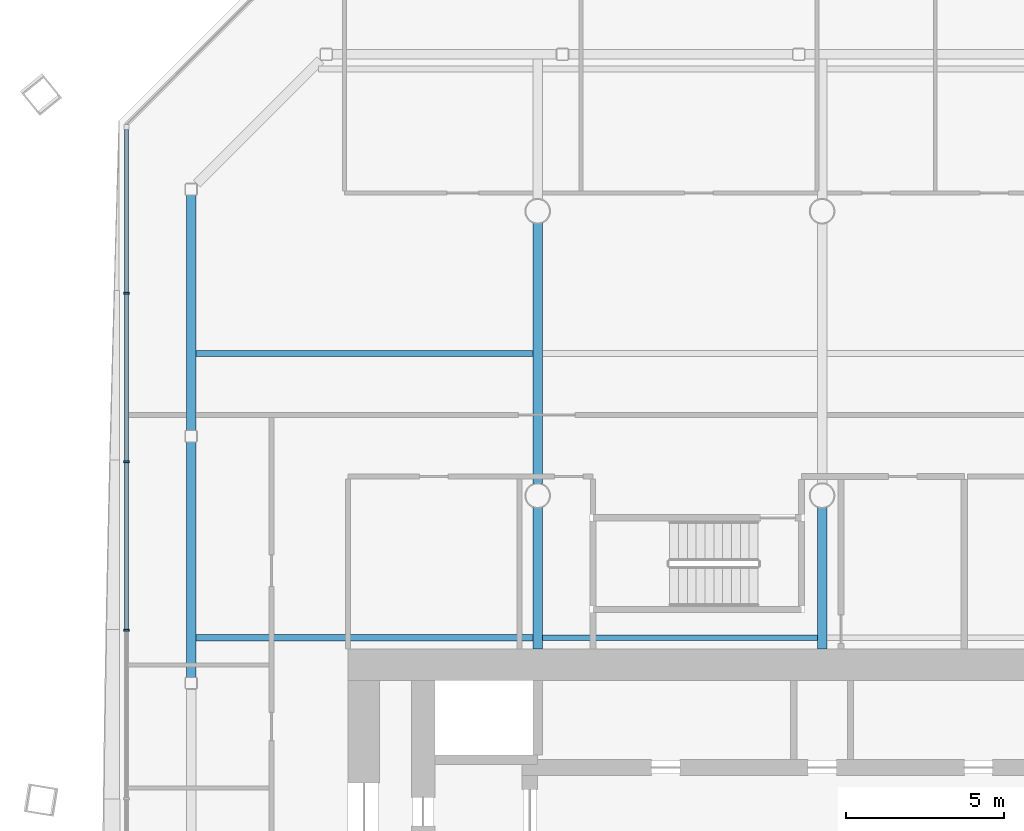
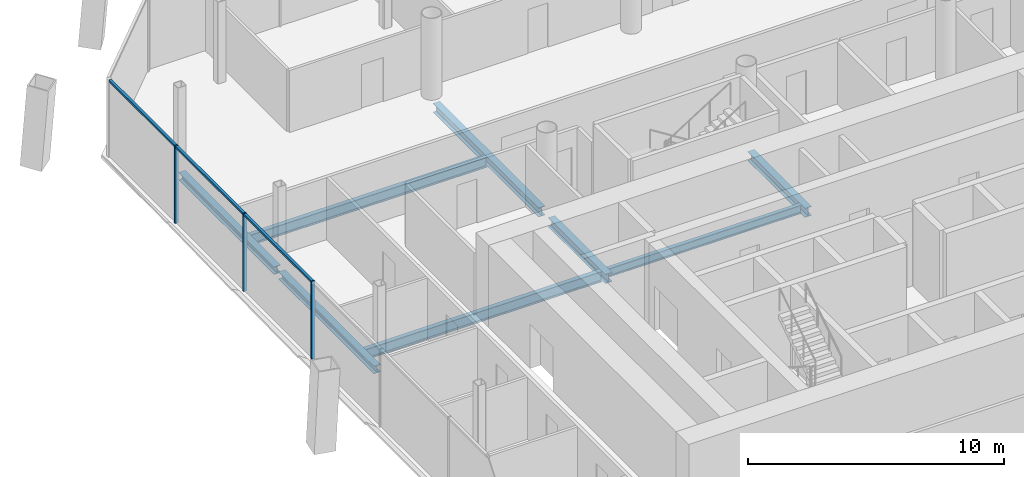
# One storey, part 6 of 19: 8 beams, 6 members, 1 element without a shape of its own.
"""IFC4 building model written with IfcOpenShell, lengths in metres."""

from ifc_helpers import new_model, si_unit, direction, frame, origin, origin_2d, place, context, subcontext, project, spatial, rectangle, i_section, extrude, material, material_profile, profile_set, type_object, element, aggregate, save


model = new_model("IFC4")

# Units and contexts
model_context = context("Model", 3, precision=1e-05, world=origin(), true_north=direction((0.0, 1.0)))
body_context = subcontext(model_context, "Body", "Model", "MODEL_VIEW")
ifc_project = project(units=[si_unit("LENGTHUNIT", "METRE"), si_unit("AREAUNIT", "SQUARE_METRE"), si_unit("VOLUMEUNIT", "CUBIC_METRE"), si_unit("PLANEANGLEUNIT", "RADIAN"), si_unit("MASSUNIT", "GRAM", prefix="KILO")], contexts=[model_context])

# Site, building, storey
site_placement = place(None, origin())
site = spatial("IfcSite", under=ifc_project, at=site_placement, CompositionType="ELEMENT")
building_placement = place(site_placement, origin())
building = spatial("IfcBuilding", under=site, at=building_placement, Name="Tskaro Facet Tower", CompositionType="ELEMENT")
storey_placement = place(building_placement, frame((0.0, 0.0, 81.60009765625)))
storey = spatial("IfcBuildingStorey", under=building, at=storey_placement, Name="L19", CompositionType="ELEMENT", Elevation=81.60009765625)

# Curtain wall, members
ifc_material_1 = material(Name="Bronze anodised aluminium 6063-T6", Category="aluminium")
curtain_wall_type = type_object("IfcCurtainWallType", Name="Bronze office curtain wall (FW1)", PredefinedType="NOTDEFINED", material=ifc_material_1)
curtain_wall_placement = place(storey_placement, origin())
curtain_wall = element("IfcCurtainWall", 1, at=curtain_wall_placement, inside=storey, type_object=curtain_wall_type, Name="FW1 west facet L19", PredefinedType="NOTDEFINED")
ifc_material_profile_1 = material_profile(ifc_material_1, rectangle(XDim=0.06005859375, YDim=0.159912109375, at=origin_2d()), Name="Mullion 60x160")
ifc_profile_set_1 = profile_set([ifc_material_profile_1], Name="Bronze anodised aluminium 6063-T6")
member_type_1 = type_object("IfcMemberType", Name="FW1 bronze mullion 60x160", PredefinedType="MULLION", material=ifc_profile_set_1)
member_1_placement = place(storey_placement, frame((-22.010986328125, 15.40869140625, 0.0), z_axis=(0.0, 0.0, 1.0), x_axis=(0.0, -1.0, 0.0)))
member_1 = element("IfcMember", 2, at=member_1_placement, type_object=member_type_1, Name="FW1 west mullion 1", PredefinedType="MULLION", context=body_context, shape_type="SweptSolid", body=[
    extrude(rectangle(XDim=0.06005859375, YDim=0.159912109375, at=origin_2d()), origin(), (0.0, 0.0, 1.0), 3.699951171875),
])
member_2_placement = place(storey_placement, frame((-22.010986328125, 10.0732421875, 0.0), z_axis=(0.0, 0.0, 1.0), x_axis=(0.0, -1.0, 0.0)))
member_2 = element("IfcMember", 3, at=member_2_placement, type_object=member_type_1, Name="FW1 west mullion 2", PredefinedType="MULLION", context=body_context, shape_type="SweptSolid", body=[
    extrude(rectangle(XDim=0.06005859375, YDim=0.159912109375, at=origin_2d()), origin(), (0.0, 0.0, 1.0), 3.699951171875),
])
member_3_placement = place(storey_placement, frame((-22.010986328125, 4.73779296875, 0.0), z_axis=(0.0, 0.0, 1.0), x_axis=(0.0, -1.0, 0.0)))
member_3 = element("IfcMember", 4, at=member_3_placement, type_object=member_type_1, Name="FW1 west mullion 3", PredefinedType="MULLION", context=body_context, shape_type="SweptSolid", body=[
    extrude(rectangle(XDim=0.06005859375, YDim=0.159912109375, at=origin_2d()), origin(), (0.0, 0.0, 1.0), 3.699951171875),
])
ifc_material_profile_2 = material_profile(ifc_material_1, rectangle(XDim=0.1201171875, YDim=0.10009765625, at=origin_2d()), Name="Transom 120x100")
ifc_profile_set_2 = profile_set([ifc_material_profile_2], Name="Bronze anodised aluminium 6063-T6")
member_type_2 = type_object("IfcMemberType", Name="FW1 bronze transom 120x100", PredefinedType="USERDEFINED", material=ifc_profile_set_2)
member_4_placement = place(storey_placement, frame((-22.010986328125, 20.583984375, 3.64990234375), z_axis=(0.0, -1.0, 0.0), x_axis=(1.0, 0.0, 0.0)))
member_4 = element("IfcMember", 5, at=member_4_placement, type_object=member_type_2, Name="FW1 west transom 1.1", ObjectType="TRANSOM", PredefinedType="USERDEFINED", context=body_context, shape_type="SweptSolid", body=[
    extrude(rectangle(XDim=0.1201171875, YDim=0.10009765625, at=origin_2d()), origin(), (0.0, 0.0, 1.0), 5.145263671875),
])
member_5_placement = place(storey_placement, frame((-22.010986328125, 15.378662109375, 3.64990234375), z_axis=(0.0, -1.0, 0.0), x_axis=(1.0, 0.0, 0.0)))
member_5 = element("IfcMember", 6, at=member_5_placement, type_object=member_type_2, Name="FW1 west transom 2.1", ObjectType="TRANSOM", PredefinedType="USERDEFINED", context=body_context, shape_type="SweptSolid", body=[
    extrude(rectangle(XDim=0.1201171875, YDim=0.10009765625, at=origin_2d()), origin(), (0.0, 0.0, 1.0), 5.275390625),
])
member_6_placement = place(storey_placement, frame((-22.010986328125, 10.043212890625, 3.64990234375), z_axis=(0.0, -1.0, 0.0), x_axis=(1.0, 0.0, 0.0)))
member_6 = element("IfcMember", 7, at=member_6_placement, type_object=member_type_2, Name="FW1 west transom 3.1", ObjectType="TRANSOM", PredefinedType="USERDEFINED", context=body_context, shape_type="SweptSolid", body=[
    extrude(rectangle(XDim=0.1201171875, YDim=0.10009765625, at=origin_2d()), origin(), (0.0, 0.0, 1.0), 5.275390625),
])
aggregate(curtain_wall, [member_1, member_2, member_3, member_4, member_5, member_6])

# Beams
ifc_material_2 = material(Name="Steel S355J2", Category="steel")
ifc_material_profile_3 = material_profile(ifc_material_2, i_section(OverallWidth=0.300048828125, OverallDepth=0.360107421875, WebThickness=0.012451171875, FlangeThickness=0.0224609375, FilletRadius=0.027099609375, at=origin_2d()), Name="HE 360 B")
ifc_profile_set_3 = profile_set([ifc_material_profile_3], Name="Steel S355J2")
beam_type_1 = type_object("IfcBeamType", Name="HE 360 B ring beam", PredefinedType="BEAM", material=ifc_profile_set_3)
for number, where, z_axis, x_axis, name in (
    (8, (-19.965087890625, 18.510009765625, -0.320068359375), (0.0, -1.0, 0.0), (1.0, 0.0, 0.0), "HE 360 B EB19-2"),
    (9, (-19.965087890625, 10.698974609375, -0.320068359375), (0.0, -1.0, 0.0), (1.0, 0.0, 0.0), "HE 360 B EB20-2"),
):
    element("IfcBeam", number, at=place(storey_placement, frame(where, z_axis=z_axis, x_axis=x_axis)), inside=storey, type_object=beam_type_1, Name=name, PredefinedType="BEAM", context=body_context, shape_type="SweptSolid", body=[
        extrude(i_section(OverallWidth=0.300048828125, OverallDepth=0.360107421875, WebThickness=0.012451171875, FlangeThickness=0.0224609375, FilletRadius=0.027099609375, at=origin_2d()), origin(), (0.0, 0.0, 1.0), 7.450927734375),
    ])
ifc_material_profile_4 = material_profile(ifc_material_2, i_section(OverallWidth=0.300048828125, OverallDepth=0.43994140625, WebThickness=0.011474609375, FlangeThickness=0.02099609375, FilletRadius=0.027099609375, at=origin_2d()), Name="HE 450 A")
ifc_profile_set_4 = profile_set([ifc_material_profile_4], Name="Steel S355J2")
beam_type_2 = type_object("IfcBeamType", Name="HE 450 A girder", PredefinedType="BEAM", material=ifc_profile_set_4)
beam_1_placement = place(storey_placement, frame((-9.0, 4.14990234375, -0.360107421875), z_axis=(0.0, 1.0, 0.0), x_axis=(-1.0, 0.0, 0.0)))
element("IfcBeam", 10, at=beam_1_placement, inside=storey, type_object=beam_type_2, Name="HE 450 A GB3-3-2", PredefinedType="BEAM", context=body_context, shape_type="SweptSolid", body=[
    extrude(i_section(OverallWidth=0.300048828125, OverallDepth=0.43994140625, WebThickness=0.011474609375, FlangeThickness=0.02099609375, FilletRadius=0.027099609375, at=origin_2d()), origin(), (0.0, 0.0, 1.0), 4.4736328125),
])
beam_2_placement = place(storey_placement, frame((-9.0, 9.37646484375, -0.360107421875), z_axis=(0.0, 1.0, 0.0), x_axis=(-1.0, 0.0, 0.0)))
element("IfcBeam", 11, at=beam_2_placement, inside=storey, type_object=beam_type_2, Name="HE 450 A GB3-4-2", PredefinedType="BEAM", context=body_context, shape_type="SweptSolid", body=[
    extrude(i_section(OverallWidth=0.300048828125, OverallDepth=0.43994140625, WebThickness=0.011474609375, FlangeThickness=0.02099609375, FilletRadius=0.027099609375, at=origin_2d()), origin(), (0.0, 0.0, 1.0), 8.2470703125),
])
beam_3_placement = place(storey_placement, frame((0.0, 4.14990234375, -0.360107421875), z_axis=(0.0, 1.0, 0.0), x_axis=(-1.0, 0.0, 0.0)))
element("IfcBeam", 12, at=beam_3_placement, inside=storey, type_object=beam_type_2, Name="HE 450 A GB4-3-2", PredefinedType="BEAM", context=body_context, shape_type="SweptSolid", body=[
    extrude(i_section(OverallWidth=0.300048828125, OverallDepth=0.43994140625, WebThickness=0.011474609375, FlangeThickness=0.02099609375, FilletRadius=0.027099609375, at=origin_2d()), origin(), (0.0, 0.0, 1.0), 4.4736328125),
])
ifc_material_profile_5 = material_profile(ifc_material_2, i_section(OverallWidth=0.179931640625, OverallDepth=0.39990234375, WebThickness=0.008544921875, FlangeThickness=0.013427734375, FilletRadius=0.02099609375, at=origin_2d()), Name="IPE 400")
ifc_profile_set_5 = profile_set([ifc_material_profile_5], Name="Steel S355J2")
beam_type_3 = type_object("IfcBeamType", Name="IPE 400 secondary beam", PredefinedType="BEAM", material=ifc_profile_set_5)
beam_4_placement = place(storey_placement, frame((-8.85009765625, 4.5, -0.340087890625), z_axis=(1.0, 0.0, 0.0), x_axis=(0.0, 1.0, 0.0)))
element("IfcBeam", 13, at=beam_4_placement, inside=storey, type_object=beam_type_3, Name="IPE 400 SB4a-2-2", PredefinedType="BEAM", context=body_context, shape_type="SweptSolid", body=[
    extrude(i_section(OverallWidth=0.179931640625, OverallDepth=0.39990234375, WebThickness=0.008544921875, FlangeThickness=0.013427734375, FilletRadius=0.02099609375, at=origin_2d()), origin(), (0.0, 0.0, 1.0), 8.7001953125),
])
ifc_material_profile_6 = material_profile(ifc_material_2, i_section(OverallWidth=0.199951171875, OverallDepth=0.5, WebThickness=0.01025390625, FlangeThickness=0.01611328125, FilletRadius=0.02099609375, at=origin_2d()), Name="IPE 500")
ifc_profile_set_6 = profile_set([ifc_material_profile_6], Name="Steel S355J2")
beam_type_4 = type_object("IfcBeamType", Name="IPE 500 long secondary beam", PredefinedType="BEAM", material=ifc_profile_set_6)
for number, where, z_axis, x_axis, name in (
    (14, (-19.81494140625, 4.5, -0.39013671875), (1.0, 0.0, 0.0), (0.0, 1.0, 0.0), "IPE 500 LSB4a-1-2"),
    (15, (-19.81494140625, 13.5, -0.39013671875), (1.0, 0.0, 0.0), (0.0, 1.0, 0.0), "IPE 500 LSB5a-1-2"),
):
    element("IfcBeam", number, at=place(storey_placement, frame(where, z_axis=z_axis, x_axis=x_axis)), inside=storey, type_object=beam_type_4, Name=name, PredefinedType="BEAM", context=body_context, shape_type="SweptSolid", body=[
        extrude(i_section(OverallWidth=0.199951171875, OverallDepth=0.5, WebThickness=0.01025390625, FlangeThickness=0.01611328125, FilletRadius=0.02099609375, at=origin_2d()), origin(), (0.0, 0.0, 1.0), 10.6650390625),
    ])

save(model, "model.ifc")
